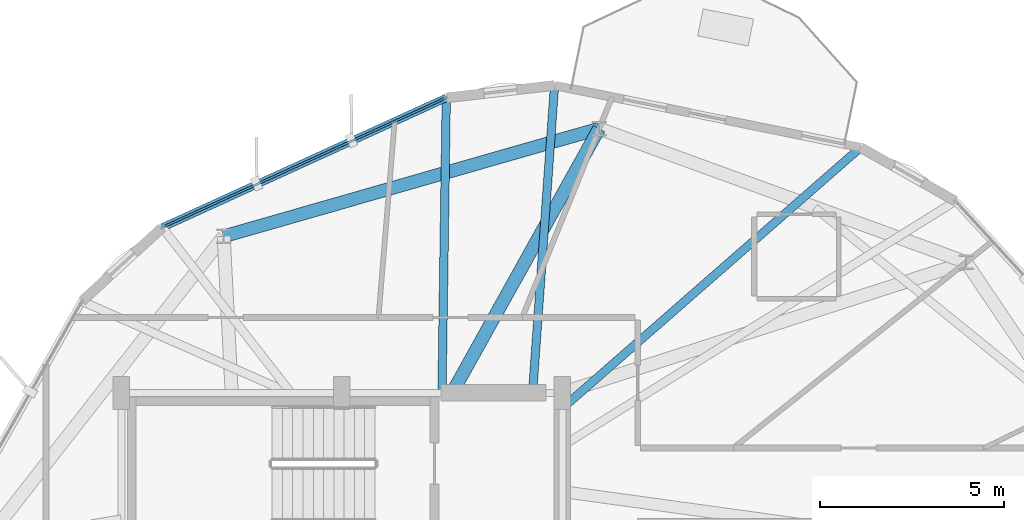
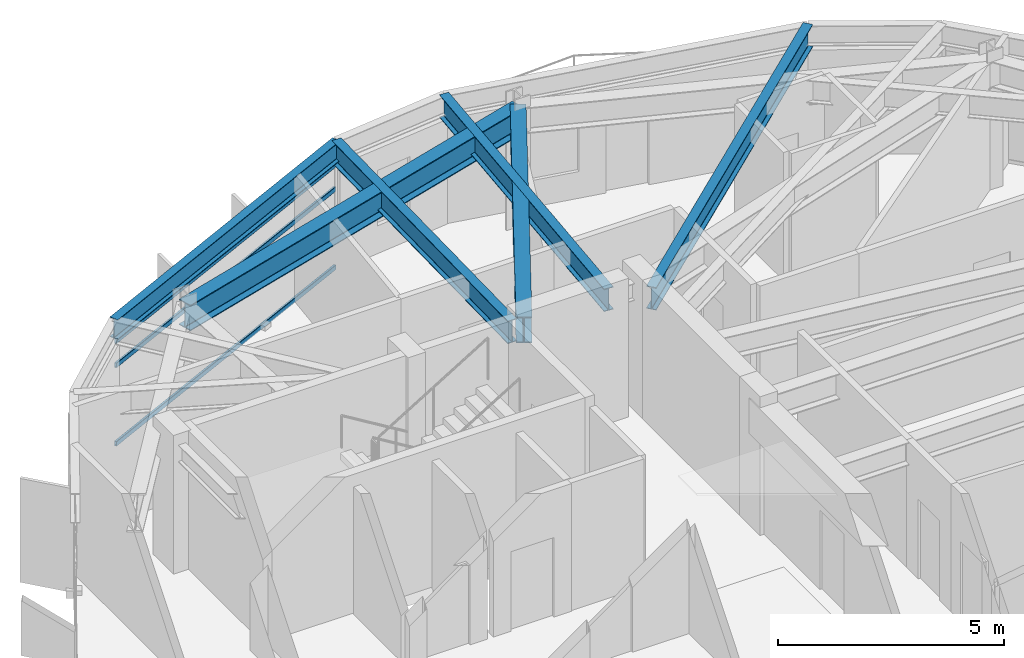
# One storey, part 14 of 23: 6 beams, 3 members, 1 element without a shape of its own.
"""IFC4 building model written with IfcOpenShell, lengths in metres."""

from ifc_helpers import new_model, si_unit, direction, frame, origin, origin_2d, place, context, subcontext, project, spatial, hollow_rectangle, i_section, extrude, material, layer, layer_set, material_profile, profile_set, type_object, element, aggregate, save


model = new_model("IFC4")

# Units and contexts
model_context = context("Model", 3, precision=1e-05, world=origin(), true_north=direction((0.0, 1.0)))
body_context = subcontext(model_context, "Body", "Model", "MODEL_VIEW")
ifc_project = project(units=[si_unit("LENGTHUNIT", "METRE"), si_unit("AREAUNIT", "SQUARE_METRE"), si_unit("VOLUMEUNIT", "CUBIC_METRE"), si_unit("PLANEANGLEUNIT", "RADIAN"), si_unit("MASSUNIT", "GRAM", prefix="KILO")], contexts=[model_context])

# Site, building, storey
site_placement = place(None, origin())
site = spatial("IfcSite", under=ifc_project, at=site_placement, CompositionType="ELEMENT")
building_placement = place(site_placement, origin())
building = spatial("IfcBuilding", under=site, at=building_placement, Name="Soratama Intermodal Tower", CompositionType="ELEMENT")
storey_placement = place(building_placement, frame((0.0, 0.0, 261.25)))
storey = spatial("IfcBuildingStorey", under=building, at=storey_placement, Name="L66", CompositionType="ELEMENT", Elevation=261.25)

# Beams
ifc_material_1 = material(Name="Structural steel ASTM A992 Grade 50", Category="steel")
ifc_material_profile_1 = material_profile(ifc_material_1, i_section(OverallWidth=0.35498046875, OverallDepth=0.695068359375, WebThickness=0.015380859375, FlangeThickness=0.02490234375, FilletRadius=0.01611328125, at=origin_2d()), Name="W27X146")
ifc_profile_set_1 = profile_set([ifc_material_profile_1], Name="Structural steel ASTM A992 Grade 50")
beam_type_1 = type_object("IfcBeamType", Name="BM-RING-W27X146", PredefinedType="BEAM", material=ifc_profile_set_1)
beam_1_placement = place(storey_placement, frame((45.60009765625, 42.18994140625, 3.1025390625), z_axis=(-0.961238292127, -0.275718961532, 0.0), x_axis=(0.275718961532, -0.961238292127, 0.0)))
element("IfcBeam", 1, at=beam_1_placement, inside=storey, type_object=beam_type_1, Name="BM-L66-RING-03", PredefinedType="BEAM", context=body_context, shape_type="SweptSolid", body=[
    extrude(i_section(OverallWidth=0.35498046875, OverallDepth=0.695068359375, WebThickness=0.015380859375, FlangeThickness=0.02490234375, FilletRadius=0.01611328125, at=origin_2d()), origin(), (0.0, 0.0, 1.0), 10.630126953125),
])
beam_2_placement = place(storey_placement, frame((41.60009765625, 35.0, 3.1025390625), z_axis=(0.486161842523, 0.873868790423, 0.0), x_axis=(-0.873868790423, 0.486161842523, 0.0)))
element("IfcBeam", 2, at=beam_2_placement, inside=storey, type_object=beam_type_1, Name="BM-L66-RAD-03", PredefinedType="BEAM", context=body_context, shape_type="SweptSolid", body=[
    extrude(i_section(OverallWidth=0.35498046875, OverallDepth=0.695068359375, WebThickness=0.015380859375, FlangeThickness=0.02490234375, FilletRadius=0.01611328125, at=origin_2d()), origin(), (0.0, 0.0, 1.0), 8.227783203125),
])
ifc_material_2 = material(Name="Structural steel ASTM A992 Grade 50", Category="steel")
ifc_material_profile_2 = material_profile(ifc_material_2, i_section(OverallWidth=0.2099609375, OverallDepth=0.537109375, WebThickness=0.010986328125, FlangeThickness=0.017333984375, FilletRadius=0.012939453125, at=origin_2d()), Name="W21X68")
ifc_profile_set_2 = profile_set([ifc_material_profile_2], Name="Structural steel ASTM A992 Grade 50")
beam_type_2 = type_object("IfcBeamType", Name="BM-SPN-W21X68", PredefinedType="SPANDREL", material=ifc_profile_set_2)
beam_3_placement = place(storey_placement, frame((41.43994140625, 43.030029296875, 3.181396484375), z_axis=(-0.909677623977, -0.415315085731, 0.0), x_axis=(0.415315085731, -0.909677623977, 0.0)))
element("IfcBeam", 3, at=beam_3_placement, inside=storey, type_object=beam_type_2, Name="BS-L66-F02", PredefinedType="SPANDREL", context=body_context, shape_type="SweptSolid", body=[
    extrude(i_section(OverallWidth=0.2099609375, OverallDepth=0.537109375, WebThickness=0.010986328125, FlangeThickness=0.017333984375, FilletRadius=0.012939453125, at=origin_2d()), origin(), (0.0, 0.0, 1.0), 8.499755859375),
])
ifc_material_3 = material(Name="Structural steel ASTM A992 Grade 50", Category="steel")
ifc_material_profile_3 = material_profile(ifc_material_3, i_section(OverallWidth=0.22900390625, OverallDepth=0.612060546875, WebThickness=0.011962890625, FlangeThickness=0.01953125, FilletRadius=0.012939453125, at=origin_2d()), Name="W24X84")
ifc_profile_set_3 = profile_set([ifc_material_profile_3], Name="Structural steel ASTM A992 Grade 50")
beam_type_3 = type_object("IfcBeamType", Name="BM-TIE-W24X84", PredefinedType="BEAM", material=ifc_profile_set_3)
beam_4_placement = place(storey_placement, frame((44.6298828125, 34.60693359375, 3.14404296875), z_axis=(0.752811725904, 0.65823590402, 0.0), x_axis=(-0.65823590402, 0.752811725904, 0.0)))
element("IfcBeam", 4, at=beam_4_placement, inside=storey, type_object=beam_type_3, Name="BM-L66-TIE0-01", PredefinedType="BEAM", context=body_context, shape_type="SweptSolid", body=[
    extrude(i_section(OverallWidth=0.22900390625, OverallDepth=0.612060546875, WebThickness=0.011962890625, FlangeThickness=0.01953125, FilletRadius=0.012939453125, at=origin_2d()), origin(), (0.0, 0.0, 1.0), 10.743896484375),
])
beam_5_placement = place(storey_placement, frame((43.7919921875, 35.0400390625, 3.14404296875), z_axis=(0.071261596526, 0.997457660686, 0.0), x_axis=(-0.997457660686, 0.071261596526, 0.0)))
element("IfcBeam", 5, at=beam_5_placement, inside=storey, type_object=beam_type_3, Name="BM-L66-TIE1-01", PredefinedType="BEAM", context=body_context, shape_type="SweptSolid", body=[
    extrude(i_section(OverallWidth=0.22900390625, OverallDepth=0.612060546875, WebThickness=0.011962890625, FlangeThickness=0.01953125, FilletRadius=0.012939453125, at=origin_2d()), origin(), (0.0, 0.0, 1.0), 8.34912109375),
])
beam_6_placement = place(storey_placement, frame((41.323974609375, 35.0400390625, 3.14404296875), z_axis=(0.014512481345, 0.999894688397, 0.0), x_axis=(-0.999894688397, 0.014512481345, 0.0)))
element("IfcBeam", 6, at=beam_6_placement, inside=storey, type_object=beam_type_3, Name="BM-L66-TIE0-02", PredefinedType="BEAM", context=body_context, shape_type="SweptSolid", body=[
    extrude(i_section(OverallWidth=0.22900390625, OverallDepth=0.612060546875, WebThickness=0.011962890625, FlangeThickness=0.01953125, FilletRadius=0.012939453125, at=origin_2d()), origin(), (0.0, 0.0, 1.0), 7.99072265625),
])

# Curtain wall, members
ifc_material_4 = material(Name="Double-glazed aluminium curtain wall", Category="aluminium")
ifc_layer = layer(ifc_material_4, 0.159912109375)
ifc_layer_set = layer_set([ifc_layer], Name="Double-glazed aluminium curtain wall")
curtain_wall_type = type_object("IfcCurtainWallType", Name="CW-SYS-5", PredefinedType="NOTDEFINED", material=ifc_layer_set)
curtain_wall_placement = place(storey_placement, origin())
curtain_wall = element("IfcCurtainWall", 7, at=curtain_wall_placement, inside=storey, type_object=curtain_wall_type, Name="L66 Faceted Curtain Wall F02", PredefinedType="NOTDEFINED")
ifc_material_5 = material(Name="Anodised aluminium AA 6063-T6", Category="aluminium")
ifc_material_profile_4 = material_profile(ifc_material_5, hollow_rectangle(XDim=0.06005859375, YDim=0.1298828125, WallThickness=0.0048828125, InnerFilletRadius=0.0048828125, OuterFilletRadius=0.010009765625, at=origin_2d()), Name="CWT130X60X5")
ifc_profile_set_4 = profile_set([ifc_material_profile_4], Name="Anodised aluminium AA 6063-T6")
member_type = type_object("IfcMemberType", Name="TT-CWT-2", PredefinedType="USERDEFINED", material=ifc_profile_set_4)
member_1_placement = place(storey_placement, frame((41.385498046875, 43.0048828125, 0.030029296875), z_axis=(-0.909676757508, -0.415316983579, 0.0), x_axis=(0.415316983579, -0.909676757508, 0.0)))
member_1 = element("IfcMember", 8, at=member_1_placement, type_object=member_type, Name="CW-5 transom 1.1", ObjectType="TRANSOM", PredefinedType="USERDEFINED", context=body_context, shape_type="SweptSolid", body=[
    extrude(hollow_rectangle(XDim=0.06005859375, YDim=0.1298828125, WallThickness=0.0048828125, InnerFilletRadius=0.0048828125, OuterFilletRadius=0.010009765625, at=origin_2d()), origin(), (0.0, 0.0, 1.0), 8.379638671875),
])
member_2_placement = place(storey_placement, frame((41.385498046875, 43.0048828125, 2.14990234375), z_axis=(-0.909676757508, -0.415316983579, 0.0), x_axis=(0.415316983579, -0.909676757508, 0.0)))
member_2 = element("IfcMember", 9, at=member_2_placement, type_object=member_type, Name="CW-5 transom 1.2", ObjectType="TRANSOM", PredefinedType="USERDEFINED", context=body_context, shape_type="SweptSolid", body=[
    extrude(hollow_rectangle(XDim=0.06005859375, YDim=0.1298828125, WallThickness=0.0048828125, InnerFilletRadius=0.0048828125, OuterFilletRadius=0.010009765625, at=origin_2d()), origin(), (0.0, 0.0, 1.0), 8.379638671875),
])
member_3_placement = place(storey_placement, frame((41.385498046875, 43.0048828125, 2.799072265625), z_axis=(-0.909676757508, -0.415316983579, 0.0), x_axis=(0.415316983579, -0.909676757508, 0.0)))
member_3 = element("IfcMember", 10, at=member_3_placement, type_object=member_type, Name="CW-5 transom 1.3", ObjectType="TRANSOM", PredefinedType="USERDEFINED", context=body_context, shape_type="SweptSolid", body=[
    extrude(hollow_rectangle(XDim=0.06005859375, YDim=0.1298828125, WallThickness=0.0048828125, InnerFilletRadius=0.0048828125, OuterFilletRadius=0.010009765625, at=origin_2d()), origin(), (0.0, 0.0, 1.0), 8.379638671875),
])
aggregate(curtain_wall, [member_1, member_2, member_3])

save(model, "model.ifc")
